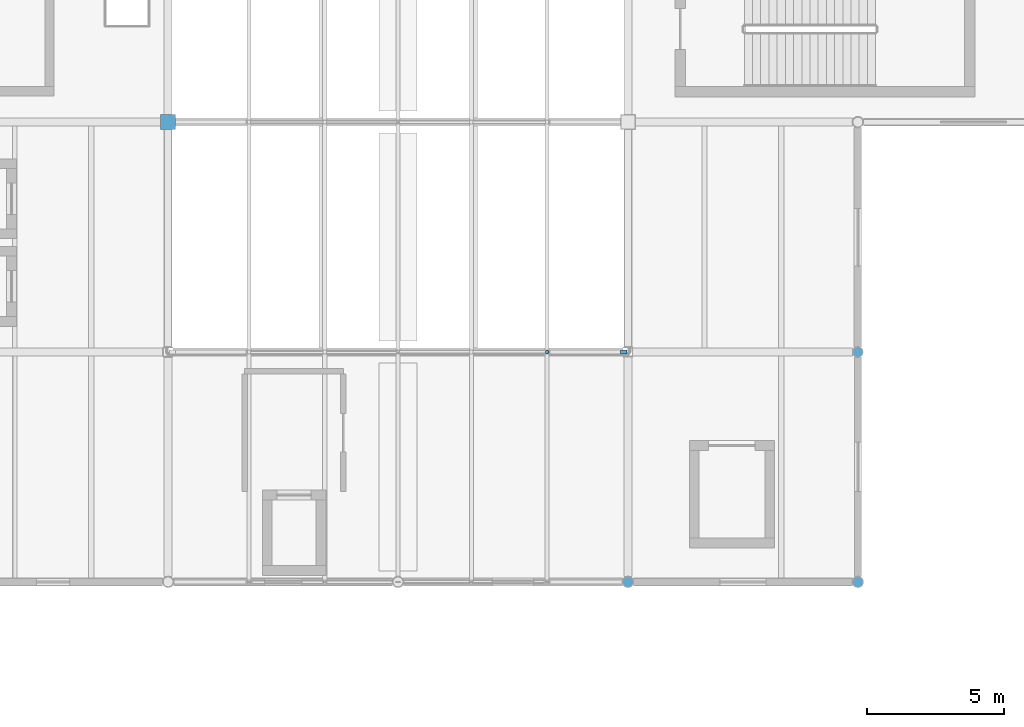
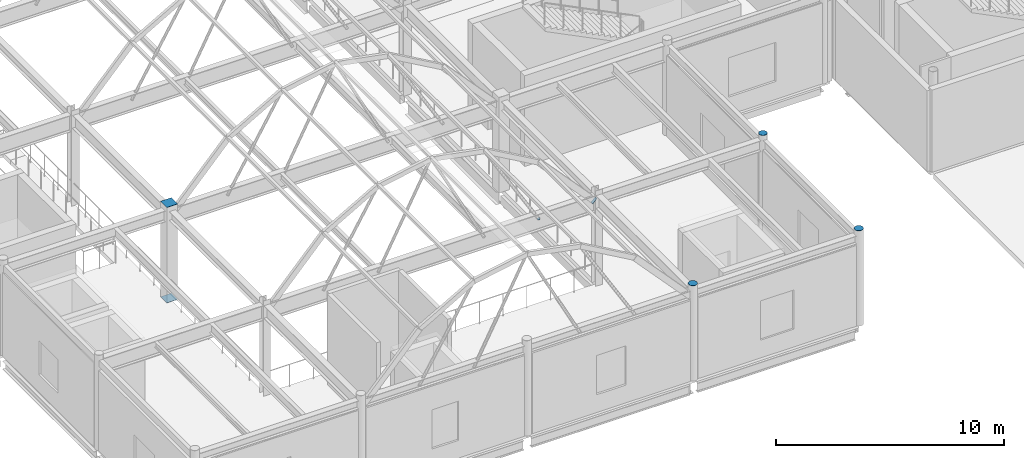
# One storey, part 75 of 103: 7 discrete accessories.
"""IFC4 building model written with IfcOpenShell, lengths in metres."""

import ifcopenshell
import ifcopenshell.guid

model = None  # the IFC model being written
_history = None  # IfcOwnerHistory: only IFC2X3 demands one
_inside = {}  # id of a spatial element -> (the spatial element, [elements in it])
_under = {}  # id of a project, library or spatial element -> (it, [spatial elements below it])
_declared = {}  # id of a project -> (the project, [libraries it declares])
_typed = {}  # id of a type object -> (the type object, [elements of that type])
_made_of = {}  # id of a material, layer set ... -> (it, [elements and type objects made of it])


def new_model(schema):
    """Start an empty IFC model of exactly this schema.

    Asked for "IFC4X3", IfcOpenShell would pick the latest addendum, in which some entities
    have other attributes; the version numbers below select the first issue.
    IFC2X3 requires an IfcOwnerHistory on every rooted entity: one is made here for all.
    """
    global model, _history
    if schema == "IFC4X3":
        model = ifcopenshell.file(schema_version=(4, 3, 0, 0))
    else:
        model = ifcopenshell.file(schema=schema)
    _inside.clear()
    _under.clear()
    _declared.clear()
    _typed.clear()
    _made_of.clear()
    _history = None
    if model.schema == "IFC2X3":
        org = make("IfcOrganization", Name="unknown")
        user = make(
            "IfcPersonAndOrganization",
            ThePerson=make("IfcPerson", FamilyName="unknown"),
            TheOrganization=org,
        )
        app = make(
            "IfcApplication",
            ApplicationDeveloper=org,
            Version="unknown",
            ApplicationFullName="unknown",
            ApplicationIdentifier="unknown",
        )
        _history = make(
            "IfcOwnerHistory",
            OwningUser=user,
            OwningApplication=app,
            ChangeAction="ADDED",
            CreationDate=0,
        )
    return model


def make(cls, **values):
    """One entity of the class cls with the attributes given. An attribute that is None is left unset."""
    return model.create_entity(
        cls, **{name: value for name, value in values.items() if value is not None}
    )


def rooted(cls, **values):
    """An entity with a GlobalId (a new one), such as an element, a storey or a relation."""
    return make(cls, GlobalId=ifcopenshell.guid.new(), OwnerHistory=_history, **values)


def si_unit(unit_type, name, prefix=None):
    """IfcSIUnit, for example si_unit("LENGTHUNIT", "METRE", prefix="MILLI")."""
    return make("IfcSIUnit", UnitType=unit_type, Prefix=prefix, Name=name)


def assignment(units):
    """IfcUnitAssignment: the units of a project."""
    return None if units is None else make("IfcUnitAssignment", Units=units)


def point(xyz):
    """IfcCartesianPoint."""
    return None if xyz is None else make("IfcCartesianPoint", Coordinates=xyz)


def direction(xyz):
    """IfcDirection."""
    return None if xyz is None else make("IfcDirection", DirectionRatios=xyz)


def frame(location, z_axis=None, x_axis=None):
    """IfcAxis2Placement3D, a coordinate frame: its origin and axes. An axis left out is left unset."""
    return make(
        "IfcAxis2Placement3D",
        Location=point(location),
        Axis=direction(z_axis),
        RefDirection=direction(x_axis),
    )


def frame_2d(location, x_axis=None):
    """IfcAxis2Placement2D, a coordinate frame in the plane: its origin and x axis."""
    return make(
        "IfcAxis2Placement2D", Location=point(location), RefDirection=direction(x_axis)
    )


def origin():
    """The frame at (0, 0, 0) with its axes left unset."""
    return frame((0.0, 0.0, 0.0))


def origin_2d():
    """The frame at (0, 0) in the plane with its x axis left unset."""
    return frame_2d((0.0, 0.0))


def place(relative_to, where):
    """IfcLocalPlacement: puts the frame where relative to a parent placement (None: the world)."""
    return make(
        "IfcLocalPlacement", PlacementRelTo=relative_to, RelativePlacement=where
    )


def context(
    kind, dimensions, precision=None, world=None, true_north=None, identifier=None
):
    """IfcGeometricRepresentationContext, for example the 3D "Model" context."""
    return make(
        "IfcGeometricRepresentationContext",
        ContextIdentifier=identifier,
        ContextType=kind,
        CoordinateSpaceDimension=dimensions,
        Precision=precision,
        WorldCoordinateSystem=world,
        TrueNorth=true_north,
    )


def subcontext(parent, identifier, kind, view, scale=None):
    """IfcGeometricRepresentationSubContext, for example "Body" below "Model"."""
    return make(
        "IfcGeometricRepresentationSubContext",
        ContextIdentifier=identifier,
        ContextType=kind,
        ParentContext=parent,
        TargetScale=scale,
        TargetView=view,
    )


def project(units=None, contexts=None):
    """IfcProject with its units and contexts."""
    return rooted(
        "IfcProject",
        Name="project",
        RepresentationContexts=contexts,
        UnitsInContext=assignment(units),
    )


def spatial(cls, under=None, at=None, **own):
    """A site, building, storey or space (cls), placed at a placement, below another one or the project."""
    s = rooted(cls, ObjectPlacement=at, **own)
    if under is not None:
        _under.setdefault(under.id(), (under, []))[1].append(s)
    return s


def profile(cls, at=None, kind="AREA", **sizes):
    """A parametric profile (cls). Its sizes go by their IFC names, for example OverallWidth=200.0."""
    return make(cls, ProfileType=kind, Position=at, **sizes)


def rectangle(**sizes):
    """IfcRectangleProfileDef."""
    return profile("IfcRectangleProfileDef", **sizes)


def circle(**sizes):
    """IfcCircleProfileDef."""
    return profile("IfcCircleProfileDef", **sizes)


def extrude(swept, where, along, depth):
    """IfcExtrudedAreaSolid: the profile swept, set in the frame where, extruded along a direction by depth."""
    return make(
        "IfcExtrudedAreaSolid",
        SweptArea=swept,
        Position=where,
        ExtrudedDirection=direction(along),
        Depth=depth,
    )


def shape(context_of_items, identifier, shape_type, items):
    """IfcShapeRepresentation: the items that make up one representation, for example the "Body"."""
    return make(
        "IfcShapeRepresentation",
        ContextOfItems=context_of_items,
        RepresentationIdentifier=identifier,
        RepresentationType=shape_type,
        Items=items,
    )


def material(Name=None, Category=None):
    """IfcMaterial."""
    return make("IfcMaterial", Name=Name, Category=Category)


def made_of(thing, what):
    """Note that an element or type object is made of a material, layer set ...; save() writes the relation."""
    if what is not None:
        _made_of.setdefault(what.id(), (what, []))[1].append(thing)
    return thing


def type_object(cls, material=None, **own):
    """A type object (cls), such as IfcWallType, which elements share."""
    return made_of(rooted(cls, **own), material)


def element(
    cls,
    number,
    at=None,
    inside=None,
    cuts=None,
    type_object=None,
    material=None,
    context=None,
    identifier="Body",
    shape_type=None,
    held_by="IfcProductDefinitionShape",
    body=None,
    shapes=None,
    **own,
):
    """One element of the class cls, such as IfcWall. Its Tag is "e" and its number.

    at: its placement. inside: the storey or other place that contains it. cuts: it is an
    opening in that element (IfcRelVoidsElement). A single representation is given by context,
    identifier, shape_type and body (its items); several are given by shapes. held_by: the class
    of the entity that holds the representations. save() writes the other relations.
    """
    e = rooted(cls, Tag="e%d" % number, ObjectPlacement=at, **own)
    if body is not None:
        shapes = [shape(context, identifier, shape_type, body)]
    if shapes is not None:
        e.Representation = make(held_by, Representations=shapes)
    if inside is not None:
        _inside.setdefault(inside.id(), (inside, []))[1].append(e)
    if cuts is not None:
        rooted(
            "IfcRelVoidsElement", RelatingBuildingElement=cuts, RelatedOpeningElement=e
        )
    if type_object is not None:
        _typed.setdefault(type_object.id(), (type_object, []))[1].append(e)
    return made_of(e, material)


def aggregate(whole, parts):
    """IfcRelAggregates: a whole, such as a stair, and the parts it consists of."""
    return rooted("IfcRelAggregates", RelatingObject=whole, RelatedObjects=parts)


def save(model, path):
    """Write the relations noted so far, then the file.

    IfcRelAggregates (storeys below a building ...), IfcRelContainedInSpatialStructure (elements
    in a storey), IfcRelDefinesByType, IfcRelAssociatesMaterial and IfcRelDeclares: one each for
    every whole, place, type object, material and project.
    """
    for whole, parts in _under.values():
        aggregate(whole, parts)
    for where, things in _inside.values():
        rooted(
            "IfcRelContainedInSpatialStructure",
            RelatedElements=things,
            RelatingStructure=where,
        )
    for kind, things in _typed.values():
        rooted("IfcRelDefinesByType", RelatedObjects=things, RelatingType=kind)
    for what, things in _made_of.values():
        rooted("IfcRelAssociatesMaterial", RelatedObjects=things, RelatingMaterial=what)
    for by, libraries in _declared.values():
        rooted("IfcRelDeclares", RelatingContext=by, RelatedDefinitions=libraries)
    model.write(path)


model = new_model("IFC4")

# Units and contexts
model_context = context("Model", 3, precision=1e-05, world=origin(), true_north=direction((0.0, 1.0)))
body_context = subcontext(model_context, "Body", "Model", "MODEL_VIEW")
ifc_project = project(units=[si_unit("LENGTHUNIT", "METRE"), si_unit("AREAUNIT", "SQUARE_METRE"), si_unit("VOLUMEUNIT", "CUBIC_METRE"), si_unit("PLANEANGLEUNIT", "RADIAN"), si_unit("MASSUNIT", "GRAM", prefix="KILO"), si_unit("THERMODYNAMICTEMPERATUREUNIT", "KELVIN")], contexts=[model_context])

# Site, building, storey
site_placement = place(None, origin())
site = spatial("IfcSite", under=ifc_project, at=site_placement, CompositionType="ELEMENT")
building_placement = place(site_placement, origin())
building = spatial("IfcBuilding", under=site, at=building_placement, Name="Lustrewick Department Store", CompositionType="ELEMENT")
storey_placement = place(building_placement, frame((0.0, 0.0, 16.5)))
storey = spatial("IfcBuildingStorey", under=building, at=storey_placement, Name="L04", CompositionType="ELEMENT", Elevation=16.5)

# Discrete accessories
ifc_material = material(Name="Structural steel Q355C", Category="steel")
discrete_accessory_type = type_object("IfcDiscreteAccessoryType", Name="ECP-01", PredefinedType="USERDEFINED", material=ifc_material)
for number, where, z_axis, x_axis, name in (
    (1, (75.60009765625, 58.800048828125, 5.093994140625), (0.0, 0.0, 1.0), (1.0, 0.0, 0.0), "L04 Welded Hollow-Section End-Cap Plate ECP-01"),
    (2, (75.60009765625, 58.800048828125, 0.006103515625), (0.0, 0.0, -1.0), (1.0, 0.0, 0.0), "L04 Welded Hollow-Section End-Cap Plate ECP-01"),
):
    element("IfcDiscreteAccessory", number, at=place(storey_placement, frame(where, z_axis=z_axis, x_axis=x_axis)), inside=storey, type_object=discrete_accessory_type, Name=name, ObjectType="END_CAP_PLATE", PredefinedType="USERDEFINED", context=body_context, shape_type="SweptSolid", body=[
        extrude(rectangle(XDim=0.550048828125, YDim=0.550048828125, at=origin_2d()), origin(), (0.0, 0.0, 1.0), 0.01611328125),
    ])
discrete_accessory_1_placement = place(storey_placement, frame((100.800048828125, 42.0, 5.093994140625), z_axis=(0.0, 0.0, 1.0), x_axis=(1.0, 0.0, 0.0)))
element("IfcDiscreteAccessory", 3, at=discrete_accessory_1_placement, inside=storey, type_object=discrete_accessory_type, Name="L04 Welded Hollow-Section End-Cap Plate ECP-01", ObjectType="END_CAP_PLATE", PredefinedType="USERDEFINED", context=body_context, shape_type="SweptSolid", body=[
    extrude(circle(Radius=0.202880859375, at=origin_2d()), origin(), (0.0, 0.0, 1.0), 0.01611328125),
])
discrete_accessory_2_placement = place(storey_placement, frame((100.800048828125, 50.39990234375, 5.093994140625), z_axis=(0.0, 0.0, 1.0), x_axis=(1.0, 0.0, 0.0)))
element("IfcDiscreteAccessory", 4, at=discrete_accessory_2_placement, inside=storey, type_object=discrete_accessory_type, Name="L04 Welded Hollow-Section End-Cap Plate ECP-01", ObjectType="END_CAP_PLATE", PredefinedType="USERDEFINED", context=body_context, shape_type="SweptSolid", body=[
    extrude(circle(Radius=0.1884765625, at=origin_2d()), origin(), (0.0, 0.0, 1.0), 0.01611328125),
])
discrete_accessory_3_placement = place(storey_placement, frame((92.24609375, 50.39990234375, 4.49951171875), z_axis=(0.678233515991, 0.0, -0.734846445039), x_axis=(0.0, 1.0, 0.0)))
element("IfcDiscreteAccessory", 5, at=discrete_accessory_3_placement, inside=storey, type_object=discrete_accessory_type, Name="L04 Welded Hollow-Section End-Cap Plate ECP-01", ObjectType="END_CAP_PLATE", PredefinedType="USERDEFINED", context=body_context, shape_type="SweptSolid", body=[
    extrude(rectangle(XDim=0.14990234375, YDim=0.300048828125, at=origin_2d()), origin(), (0.0, 0.0, 1.0), 0.01611328125),
])
discrete_accessory_4_placement = place(storey_placement, frame((89.44189453125, 50.39990234375, 4.500244140625), z_axis=(0.513782216913, 0.0, -0.857920645272), x_axis=(0.0, -1.0, 0.0)))
element("IfcDiscreteAccessory", 6, at=discrete_accessory_4_placement, inside=storey, type_object=discrete_accessory_type, Name="L04 Welded Hollow-Section End-Cap Plate ECP-01", ObjectType="END_CAP_PLATE", PredefinedType="USERDEFINED", context=body_context, shape_type="SweptSolid", body=[
    extrude(circle(Radius=0.070068359375, at=origin_2d()), origin(), (0.0, 0.0, 1.0), 0.01611328125),
])
discrete_accessory_5_placement = place(storey_placement, frame((92.39990234375, 42.0, 5.093994140625), z_axis=(0.0, 0.0, 1.0), x_axis=(1.0, 0.0, 0.0)))
element("IfcDiscreteAccessory", 7, at=discrete_accessory_5_placement, inside=storey, type_object=discrete_accessory_type, Name="L04 Welded Hollow-Section End-Cap Plate ECP-01", ObjectType="END_CAP_PLATE", PredefinedType="USERDEFINED", context=body_context, shape_type="SweptSolid", body=[
    extrude(circle(Radius=0.202880859375, at=origin_2d()), origin(), (0.0, 0.0, 1.0), 0.01611328125),
])

save(model, "model.ifc")
